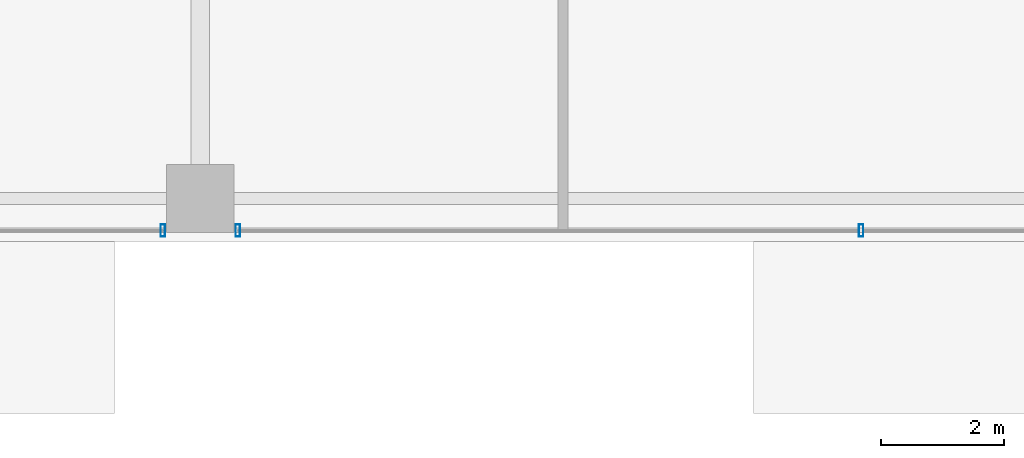
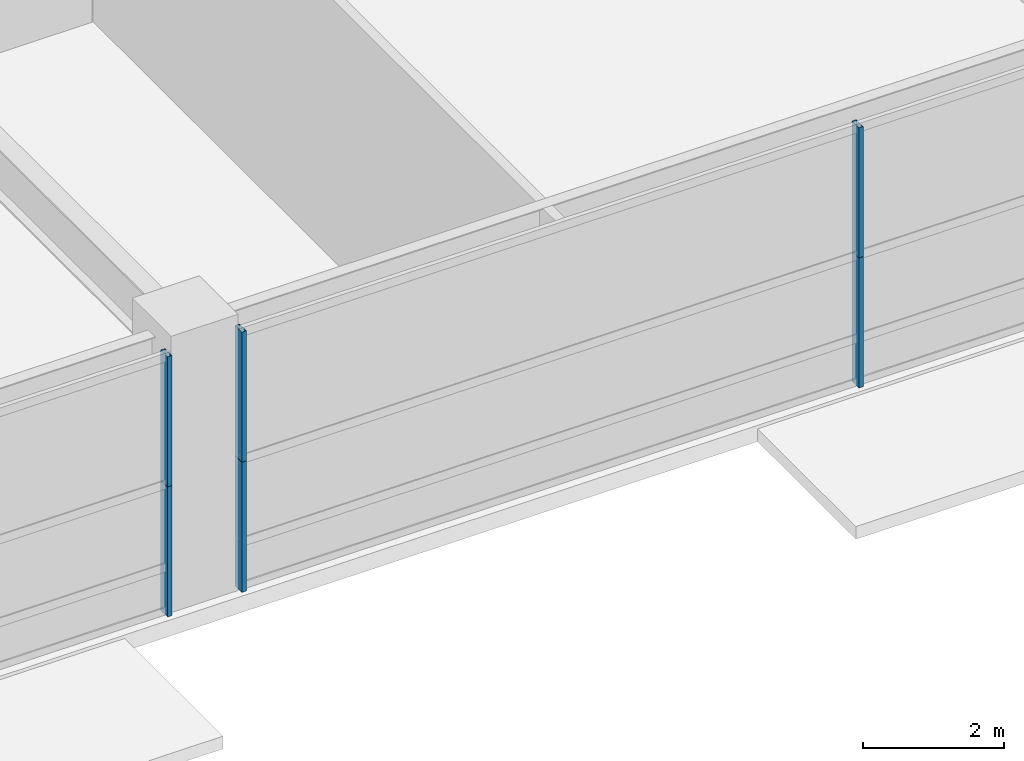
# One storey, part 11 of 37: 6 members, 2 elements without a shape of their own.
"""IFC4 building model written with IfcOpenShell, lengths in metres."""

import ifcopenshell
import ifcopenshell.guid

model = None  # the IFC model being written
_history = None  # IfcOwnerHistory: only IFC2X3 demands one
_inside = {}  # id of a spatial element -> (the spatial element, [elements in it])
_under = {}  # id of a project, library or spatial element -> (it, [spatial elements below it])
_declared = {}  # id of a project -> (the project, [libraries it declares])
_typed = {}  # id of a type object -> (the type object, [elements of that type])
_made_of = {}  # id of a material, layer set ... -> (it, [elements and type objects made of it])


def new_model(schema):
    """Start an empty IFC model of exactly this schema.

    Asked for "IFC4X3", IfcOpenShell would pick the latest addendum, in which some entities
    have other attributes; the version numbers below select the first issue.
    IFC2X3 requires an IfcOwnerHistory on every rooted entity: one is made here for all.
    """
    global model, _history
    if schema == "IFC4X3":
        model = ifcopenshell.file(schema_version=(4, 3, 0, 0))
    else:
        model = ifcopenshell.file(schema=schema)
    _inside.clear()
    _under.clear()
    _declared.clear()
    _typed.clear()
    _made_of.clear()
    _history = None
    if model.schema == "IFC2X3":
        org = make("IfcOrganization", Name="unknown")
        user = make(
            "IfcPersonAndOrganization",
            ThePerson=make("IfcPerson", FamilyName="unknown"),
            TheOrganization=org,
        )
        app = make(
            "IfcApplication",
            ApplicationDeveloper=org,
            Version="unknown",
            ApplicationFullName="unknown",
            ApplicationIdentifier="unknown",
        )
        _history = make(
            "IfcOwnerHistory",
            OwningUser=user,
            OwningApplication=app,
            ChangeAction="ADDED",
            CreationDate=0,
        )
    return model


def make(cls, **values):
    """One entity of the class cls with the attributes given. An attribute that is None is left unset."""
    return model.create_entity(
        cls, **{name: value for name, value in values.items() if value is not None}
    )


def rooted(cls, **values):
    """An entity with a GlobalId (a new one), such as an element, a storey or a relation."""
    return make(cls, GlobalId=ifcopenshell.guid.new(), OwnerHistory=_history, **values)


def si_unit(unit_type, name, prefix=None):
    """IfcSIUnit, for example si_unit("LENGTHUNIT", "METRE", prefix="MILLI")."""
    return make("IfcSIUnit", UnitType=unit_type, Prefix=prefix, Name=name)


def assignment(units):
    """IfcUnitAssignment: the units of a project."""
    return None if units is None else make("IfcUnitAssignment", Units=units)


def point(xyz):
    """IfcCartesianPoint."""
    return None if xyz is None else make("IfcCartesianPoint", Coordinates=xyz)


def direction(xyz):
    """IfcDirection."""
    return None if xyz is None else make("IfcDirection", DirectionRatios=xyz)


def frame(location, z_axis=None, x_axis=None):
    """IfcAxis2Placement3D, a coordinate frame: its origin and axes. An axis left out is left unset."""
    return make(
        "IfcAxis2Placement3D",
        Location=point(location),
        Axis=direction(z_axis),
        RefDirection=direction(x_axis),
    )


def frame_2d(location, x_axis=None):
    """IfcAxis2Placement2D, a coordinate frame in the plane: its origin and x axis."""
    return make(
        "IfcAxis2Placement2D", Location=point(location), RefDirection=direction(x_axis)
    )


def origin():
    """The frame at (0, 0, 0) with its axes left unset."""
    return frame((0.0, 0.0, 0.0))


def origin_2d():
    """The frame at (0, 0) in the plane with its x axis left unset."""
    return frame_2d((0.0, 0.0))


def place(relative_to, where):
    """IfcLocalPlacement: puts the frame where relative to a parent placement (None: the world)."""
    return make(
        "IfcLocalPlacement", PlacementRelTo=relative_to, RelativePlacement=where
    )


def context(
    kind, dimensions, precision=None, world=None, true_north=None, identifier=None
):
    """IfcGeometricRepresentationContext, for example the 3D "Model" context."""
    return make(
        "IfcGeometricRepresentationContext",
        ContextIdentifier=identifier,
        ContextType=kind,
        CoordinateSpaceDimension=dimensions,
        Precision=precision,
        WorldCoordinateSystem=world,
        TrueNorth=true_north,
    )


def subcontext(parent, identifier, kind, view, scale=None):
    """IfcGeometricRepresentationSubContext, for example "Body" below "Model"."""
    return make(
        "IfcGeometricRepresentationSubContext",
        ContextIdentifier=identifier,
        ContextType=kind,
        ParentContext=parent,
        TargetScale=scale,
        TargetView=view,
    )


def project(units=None, contexts=None):
    """IfcProject with its units and contexts."""
    return rooted(
        "IfcProject",
        Name="project",
        RepresentationContexts=contexts,
        UnitsInContext=assignment(units),
    )


def spatial(cls, under=None, at=None, **own):
    """A site, building, storey or space (cls), placed at a placement, below another one or the project."""
    s = rooted(cls, ObjectPlacement=at, **own)
    if under is not None:
        _under.setdefault(under.id(), (under, []))[1].append(s)
    return s


def profile(cls, at=None, kind="AREA", **sizes):
    """A parametric profile (cls). Its sizes go by their IFC names, for example OverallWidth=200.0."""
    return make(cls, ProfileType=kind, Position=at, **sizes)


def hollow_rectangle(**sizes):
    """IfcRectangleHollowProfileDef."""
    return profile("IfcRectangleHollowProfileDef", **sizes)


def extrude(swept, where, along, depth):
    """IfcExtrudedAreaSolid: the profile swept, set in the frame where, extruded along a direction by depth."""
    return make(
        "IfcExtrudedAreaSolid",
        SweptArea=swept,
        Position=where,
        ExtrudedDirection=direction(along),
        Depth=depth,
    )


def shape(context_of_items, identifier, shape_type, items):
    """IfcShapeRepresentation: the items that make up one representation, for example the "Body"."""
    return make(
        "IfcShapeRepresentation",
        ContextOfItems=context_of_items,
        RepresentationIdentifier=identifier,
        RepresentationType=shape_type,
        Items=items,
    )


def source(mapping_origin, context_of_items, identifier, shape_type, items):
    """IfcRepresentationMap: a shape defined once, which mapped items show again and again."""
    return make(
        "IfcRepresentationMap",
        MappingOrigin=mapping_origin,
        MappedRepresentation=shape(context_of_items, identifier, shape_type, items),
    )


def transform(
    local_origin,
    x_axis=None,
    y_axis=None,
    z_axis=None,
    scale=None,
    scale2=None,
    scale3=None,
    uniform=True,
):
    """IfcCartesianTransformationOperator3D, or its non-uniform kind. x_axis, y_axis, z_axis: its Axis1, 2, 3."""
    if uniform:
        return make(
            "IfcCartesianTransformationOperator3D",
            Axis1=direction(x_axis),
            Axis2=direction(y_axis),
            LocalOrigin=point(local_origin),
            Scale=scale,
            Axis3=direction(z_axis),
        )
    return make(
        "IfcCartesianTransformationOperator3DnonUniform",
        Axis1=direction(x_axis),
        Axis2=direction(y_axis),
        LocalOrigin=point(local_origin),
        Scale=scale,
        Axis3=direction(z_axis),
        Scale2=scale2,
        Scale3=scale3,
    )


def mapped(mapping_source, mapping_target):
    """IfcMappedItem: shows the shape of a source again, moved by a transform."""
    return make(
        "IfcMappedItem", MappingSource=mapping_source, MappingTarget=mapping_target
    )


def material(Name=None, Category=None):
    """IfcMaterial."""
    return make("IfcMaterial", Name=Name, Category=Category)


def layer(
    of_material, thickness, ventilated=None, Name=None, Category=None, Priority=None
):
    """IfcMaterialLayer: one layer of a wall or slab, of a material (None: an air gap)."""
    return make(
        "IfcMaterialLayer",
        Material=of_material,
        LayerThickness=thickness,
        IsVentilated=ventilated,
        Name=Name,
        Category=Category,
        Priority=Priority,
    )


def layer_set(layers, Name=None):
    """IfcMaterialLayerSet."""
    return make("IfcMaterialLayerSet", MaterialLayers=layers, LayerSetName=Name)


def material_profile(
    of_material, cross_section, Name=None, Category=None, Priority=None
):
    """IfcMaterialProfile: a cross section and its material."""
    return make(
        "IfcMaterialProfile",
        Name=Name,
        Material=of_material,
        Profile=cross_section,
        Priority=Priority,
        Category=Category,
    )


def profile_set(profiles, Name=None, composite=None):
    """IfcMaterialProfileSet."""
    return make(
        "IfcMaterialProfileSet",
        Name=Name,
        MaterialProfiles=profiles,
        CompositeProfile=composite,
    )


def made_of(thing, what):
    """Note that an element or type object is made of a material, layer set ...; save() writes the relation."""
    if what is not None:
        _made_of.setdefault(what.id(), (what, []))[1].append(thing)
    return thing


def type_object(cls, material=None, **own):
    """A type object (cls), such as IfcWallType, which elements share."""
    return made_of(rooted(cls, **own), material)


def element(
    cls,
    number,
    at=None,
    inside=None,
    cuts=None,
    type_object=None,
    material=None,
    context=None,
    identifier="Body",
    shape_type=None,
    held_by="IfcProductDefinitionShape",
    body=None,
    shapes=None,
    **own,
):
    """One element of the class cls, such as IfcWall. Its Tag is "e" and its number.

    at: its placement. inside: the storey or other place that contains it. cuts: it is an
    opening in that element (IfcRelVoidsElement). A single representation is given by context,
    identifier, shape_type and body (its items); several are given by shapes. held_by: the class
    of the entity that holds the representations. save() writes the other relations.
    """
    e = rooted(cls, Tag="e%d" % number, ObjectPlacement=at, **own)
    if body is not None:
        shapes = [shape(context, identifier, shape_type, body)]
    if shapes is not None:
        e.Representation = make(held_by, Representations=shapes)
    if inside is not None:
        _inside.setdefault(inside.id(), (inside, []))[1].append(e)
    if cuts is not None:
        rooted(
            "IfcRelVoidsElement", RelatingBuildingElement=cuts, RelatedOpeningElement=e
        )
    if type_object is not None:
        _typed.setdefault(type_object.id(), (type_object, []))[1].append(e)
    return made_of(e, material)


def aggregate(whole, parts):
    """IfcRelAggregates: a whole, such as a stair, and the parts it consists of."""
    return rooted("IfcRelAggregates", RelatingObject=whole, RelatedObjects=parts)


def save(model, path):
    """Write the relations noted so far, then the file.

    IfcRelAggregates (storeys below a building ...), IfcRelContainedInSpatialStructure (elements
    in a storey), IfcRelDefinesByType, IfcRelAssociatesMaterial and IfcRelDeclares: one each for
    every whole, place, type object, material and project.
    """
    for whole, parts in _under.values():
        aggregate(whole, parts)
    for where, things in _inside.values():
        rooted(
            "IfcRelContainedInSpatialStructure",
            RelatedElements=things,
            RelatingStructure=where,
        )
    for kind, things in _typed.values():
        rooted("IfcRelDefinesByType", RelatedObjects=things, RelatingType=kind)
    for what, things in _made_of.values():
        rooted("IfcRelAssociatesMaterial", RelatedObjects=things, RelatingMaterial=what)
    for by, libraries in _declared.values():
        rooted("IfcRelDeclares", RelatingContext=by, RelatedDefinitions=libraries)
    model.write(path)


model = new_model("IFC4")

# Units and contexts
model_context = context("Model", 3, precision=1e-05, world=origin(), true_north=direction((0.0, 1.0)))
body_context = subcontext(model_context, "Body", "Model", "MODEL_VIEW")
ifc_project = project(units=[si_unit("LENGTHUNIT", "METRE"), si_unit("AREAUNIT", "SQUARE_METRE"), si_unit("VOLUMEUNIT", "CUBIC_METRE"), si_unit("PLANEANGLEUNIT", "RADIAN"), si_unit("MASSUNIT", "GRAM", prefix="KILO"), si_unit("THERMODYNAMICTEMPERATUREUNIT", "KELVIN"), si_unit("POWERUNIT", "WATT")], contexts=[model_context])

# Site, building, storey
site_placement = place(None, origin())
site = spatial("IfcSite", under=ifc_project, at=site_placement, CompositionType="ELEMENT")
building_placement = place(site_placement, origin())
building = spatial("IfcBuilding", under=site, at=building_placement, Name="Yuzanri Waterfront Tower", CompositionType="ELEMENT")
storey_placement = place(building_placement, frame((0.0, 0.0, 5.39990234375)))
storey = spatial("IfcBuildingStorey", under=building, at=storey_placement, Name="L02", CompositionType="ELEMENT", Elevation=5.39990234375)

# Curtain wall, member
ifc_material_1 = material(Name="Anodized Architectural Bronze", Category="metal")
ifc_layer = layer(ifc_material_1, 0.159912109375)
ifc_layer_set = layer_set([ifc_layer], Name="Anodized Architectural Bronze")
curtain_wall_type = type_object("IfcCurtainWallType", Name="Anodized Bronze Podium Waterfront Double-Height Unitized Curtain Wall 8400", PredefinedType="NOTDEFINED", material=ifc_layer_set)
curtain_wall_1_placement = place(storey_placement, origin())
curtain_wall_1 = element("IfcCurtainWall", 1, at=curtain_wall_1_placement, inside=storey, type_object=curtain_wall_type, Name="L02 Curtain Wall CW-L02-S1", PredefinedType="NOTDEFINED")
ifc_material_2 = material(Name="Anodized Architectural Bronze", Category="metal")
ifc_material_profile = material_profile(ifc_material_2, hollow_rectangle(XDim=0.074951171875, YDim=0.199951171875, WallThickness=0.00390625, at=origin_2d()), Name="CWM 75x200")
ifc_profile_set = profile_set([ifc_material_profile], Name="Anodized Architectural Bronze")
member_type = type_object("IfcMemberType", Name="Anodized Bronze Primary Curtain-Wall Mullion 75x200", PredefinedType="MULLION", material=ifc_profile_set)
shared_shape_1 = source(origin(), body_context, "Body", "SweptSolid", [
    extrude(hollow_rectangle(XDim=0.074951171875, YDim=0.199951171875, WallThickness=0.00390625, at=origin_2d()), origin(), (0.0, 0.0, 1.0), 2.258056640625),
])
member_1_placement = place(storey_placement, frame((36.389892578125, 1.97998046875, 0.0), z_axis=(0.0, 0.0, 1.0), x_axis=(1.0, 0.0, 0.0)))
member_1 = element("IfcMember", 2, at=member_1_placement, type_object=member_type, Name="CW-L02-S1 Lower Mullion 02", PredefinedType="MULLION", context=body_context, shape_type="MappedRepresentation", body=[
    mapped(shared_shape_1, transform((0.0, 0.0, 0.0), scale=1.0)),
])

# Curtain wall, members
curtain_wall_2_placement = place(storey_placement, origin())
curtain_wall_2 = element("IfcCurtainWall", 3, at=curtain_wall_2_placement, inside=storey, type_object=curtain_wall_type, Name="L02 Curtain Wall CW-L02-S2", PredefinedType="NOTDEFINED")
member_2_placement = place(storey_placement, frame((37.610107421875, 1.97998046875, 0.0), z_axis=(0.0, 0.0, 1.0), x_axis=(1.0, 0.0, 0.0)))
member_2 = element("IfcMember", 4, at=member_2_placement, type_object=member_type, Name="CW-L02-S2 Lower Mullion 00", PredefinedType="MULLION", context=body_context, shape_type="MappedRepresentation", body=[
    mapped(shared_shape_1, transform((0.0, 0.0, 0.0), scale=1.0)),
])
member_3_placement = place(storey_placement, frame((47.75, 1.97998046875, 0.0), z_axis=(0.0, 0.0, 1.0), x_axis=(1.0, 0.0, 0.0)))
member_3 = element("IfcMember", 5, at=member_3_placement, type_object=member_type, Name="CW-L02-S2 Lower Mullion 01", PredefinedType="MULLION", context=body_context, shape_type="MappedRepresentation", body=[
    mapped(shared_shape_1, transform((0.0, 0.0, 0.0), scale=1.0)),
])

# Member
shared_shape_2 = source(origin(), body_context, "Body", "SweptSolid", [
    extrude(hollow_rectangle(XDim=0.074951171875, YDim=0.199951171875, WallThickness=0.00390625, at=origin_2d()), origin(), (0.0, 0.0, 1.0), 2.2578125),
])
member_4_placement = place(storey_placement, frame((36.389892578125, 1.97998046875, 2.26220703125), z_axis=(0.0, 0.0, 1.0), x_axis=(1.0, 0.0, 0.0)))
member_4 = element("IfcMember", 6, at=member_4_placement, type_object=member_type, Name="CW-L02-S1 Upper Mullion 02", PredefinedType="MULLION", context=body_context, shape_type="MappedRepresentation", body=[
    mapped(shared_shape_2, transform((0.0, 0.0, 0.0), scale=1.0)),
])

aggregate(curtain_wall_1, [member_1, member_4])

member_5_placement = place(storey_placement, frame((37.610107421875, 1.97998046875, 2.26220703125), z_axis=(0.0, 0.0, 1.0), x_axis=(1.0, 0.0, 0.0)))
member_5 = element("IfcMember", 7, at=member_5_placement, type_object=member_type, Name="CW-L02-S2 Upper Mullion 00", PredefinedType="MULLION", context=body_context, shape_type="MappedRepresentation", body=[
    mapped(shared_shape_2, transform((0.0, 0.0, 0.0), scale=1.0)),
])

member_6_placement = place(storey_placement, frame((47.75, 1.97998046875, 2.26220703125), z_axis=(0.0, 0.0, 1.0), x_axis=(1.0, 0.0, 0.0)))
member_6 = element("IfcMember", 8, at=member_6_placement, type_object=member_type, Name="CW-L02-S2 Upper Mullion 01", PredefinedType="MULLION", context=body_context, shape_type="MappedRepresentation", body=[
    mapped(shared_shape_2, transform((0.0, 0.0, 0.0), scale=1.0)),
])

aggregate(curtain_wall_2, [member_2, member_5, member_3, member_6])

save(model, "model.ifc")
